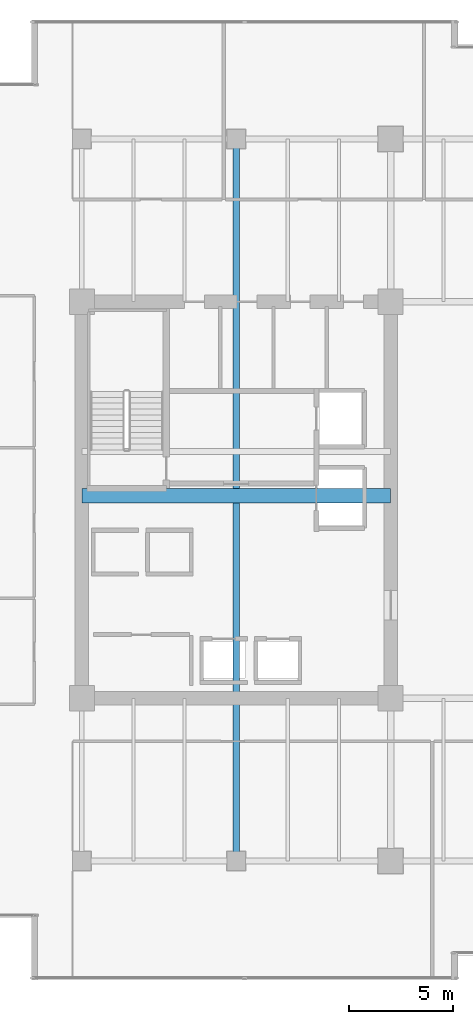
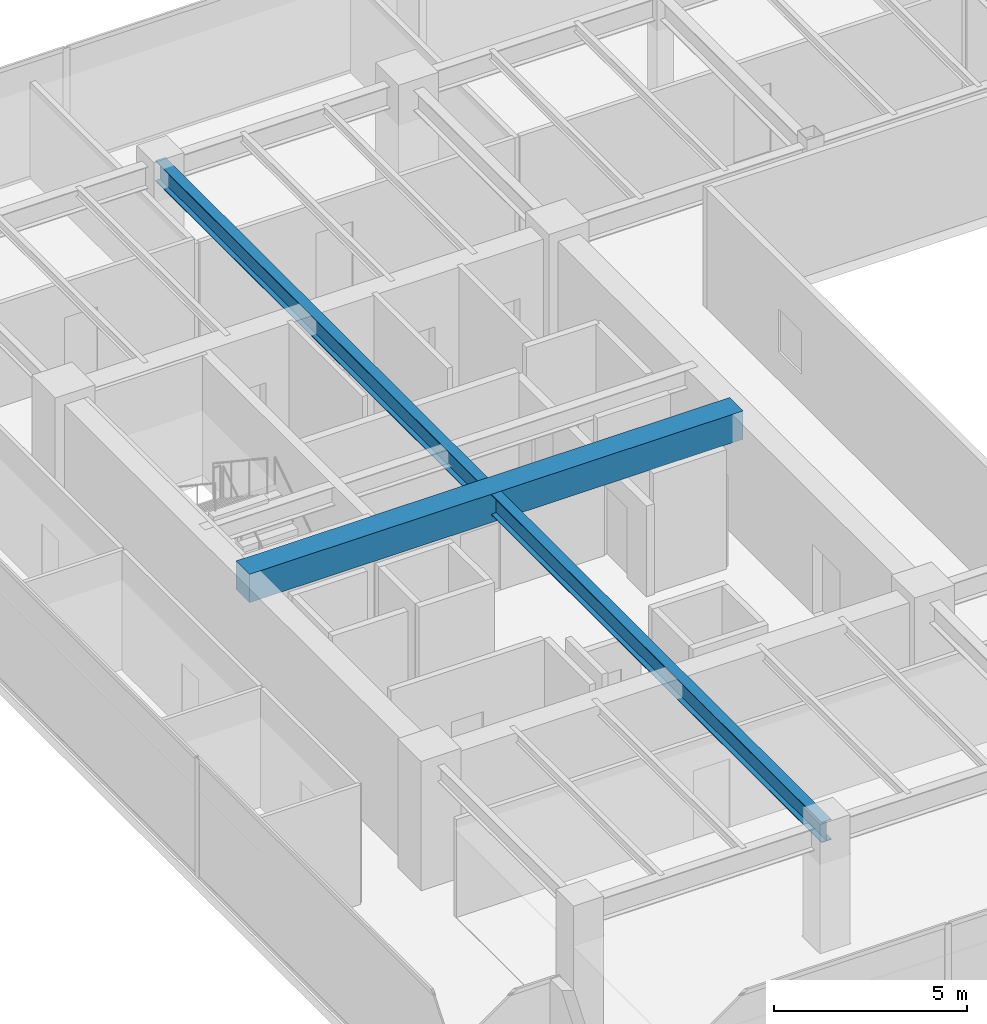
# One storey, part 7 of 33: 2 beams.
"""IFC4 building model written with IfcOpenShell, lengths in metres."""

import ifcopenshell
import ifcopenshell.guid

model = None  # the IFC model being written
_history = None  # IfcOwnerHistory: only IFC2X3 demands one
_inside = {}  # id of a spatial element -> (the spatial element, [elements in it])
_under = {}  # id of a project, library or spatial element -> (it, [spatial elements below it])
_declared = {}  # id of a project -> (the project, [libraries it declares])
_typed = {}  # id of a type object -> (the type object, [elements of that type])
_made_of = {}  # id of a material, layer set ... -> (it, [elements and type objects made of it])


def new_model(schema):
    """Start an empty IFC model of exactly this schema.

    Asked for "IFC4X3", IfcOpenShell would pick the latest addendum, in which some entities
    have other attributes; the version numbers below select the first issue.
    IFC2X3 requires an IfcOwnerHistory on every rooted entity: one is made here for all.
    """
    global model, _history
    if schema == "IFC4X3":
        model = ifcopenshell.file(schema_version=(4, 3, 0, 0))
    else:
        model = ifcopenshell.file(schema=schema)
    _inside.clear()
    _under.clear()
    _declared.clear()
    _typed.clear()
    _made_of.clear()
    _history = None
    if model.schema == "IFC2X3":
        org = make("IfcOrganization", Name="unknown")
        user = make(
            "IfcPersonAndOrganization",
            ThePerson=make("IfcPerson", FamilyName="unknown"),
            TheOrganization=org,
        )
        app = make(
            "IfcApplication",
            ApplicationDeveloper=org,
            Version="unknown",
            ApplicationFullName="unknown",
            ApplicationIdentifier="unknown",
        )
        _history = make(
            "IfcOwnerHistory",
            OwningUser=user,
            OwningApplication=app,
            ChangeAction="ADDED",
            CreationDate=0,
        )
    return model


def make(cls, **values):
    """One entity of the class cls with the attributes given. An attribute that is None is left unset."""
    return model.create_entity(
        cls, **{name: value for name, value in values.items() if value is not None}
    )


def rooted(cls, **values):
    """An entity with a GlobalId (a new one), such as an element, a storey or a relation."""
    return make(cls, GlobalId=ifcopenshell.guid.new(), OwnerHistory=_history, **values)


def si_unit(unit_type, name, prefix=None):
    """IfcSIUnit, for example si_unit("LENGTHUNIT", "METRE", prefix="MILLI")."""
    return make("IfcSIUnit", UnitType=unit_type, Prefix=prefix, Name=name)


def assignment(units):
    """IfcUnitAssignment: the units of a project."""
    return None if units is None else make("IfcUnitAssignment", Units=units)


def point(xyz):
    """IfcCartesianPoint."""
    return None if xyz is None else make("IfcCartesianPoint", Coordinates=xyz)


def direction(xyz):
    """IfcDirection."""
    return None if xyz is None else make("IfcDirection", DirectionRatios=xyz)


def frame(location, z_axis=None, x_axis=None):
    """IfcAxis2Placement3D, a coordinate frame: its origin and axes. An axis left out is left unset."""
    return make(
        "IfcAxis2Placement3D",
        Location=point(location),
        Axis=direction(z_axis),
        RefDirection=direction(x_axis),
    )


def frame_2d(location, x_axis=None):
    """IfcAxis2Placement2D, a coordinate frame in the plane: its origin and x axis."""
    return make(
        "IfcAxis2Placement2D", Location=point(location), RefDirection=direction(x_axis)
    )


def origin():
    """The frame at (0, 0, 0) with its axes left unset."""
    return frame((0.0, 0.0, 0.0))


def origin_2d():
    """The frame at (0, 0) in the plane with its x axis left unset."""
    return frame_2d((0.0, 0.0))


def place(relative_to, where):
    """IfcLocalPlacement: puts the frame where relative to a parent placement (None: the world)."""
    return make(
        "IfcLocalPlacement", PlacementRelTo=relative_to, RelativePlacement=where
    )


def context(
    kind, dimensions, precision=None, world=None, true_north=None, identifier=None
):
    """IfcGeometricRepresentationContext, for example the 3D "Model" context."""
    return make(
        "IfcGeometricRepresentationContext",
        ContextIdentifier=identifier,
        ContextType=kind,
        CoordinateSpaceDimension=dimensions,
        Precision=precision,
        WorldCoordinateSystem=world,
        TrueNorth=true_north,
    )


def subcontext(parent, identifier, kind, view, scale=None):
    """IfcGeometricRepresentationSubContext, for example "Body" below "Model"."""
    return make(
        "IfcGeometricRepresentationSubContext",
        ContextIdentifier=identifier,
        ContextType=kind,
        ParentContext=parent,
        TargetScale=scale,
        TargetView=view,
    )


def project(units=None, contexts=None):
    """IfcProject with its units and contexts."""
    return rooted(
        "IfcProject",
        Name="project",
        RepresentationContexts=contexts,
        UnitsInContext=assignment(units),
    )


def spatial(cls, under=None, at=None, **own):
    """A site, building, storey or space (cls), placed at a placement, below another one or the project."""
    s = rooted(cls, ObjectPlacement=at, **own)
    if under is not None:
        _under.setdefault(under.id(), (under, []))[1].append(s)
    return s


def profile(cls, at=None, kind="AREA", **sizes):
    """A parametric profile (cls). Its sizes go by their IFC names, for example OverallWidth=200.0."""
    return make(cls, ProfileType=kind, Position=at, **sizes)


def rectangle(**sizes):
    """IfcRectangleProfileDef."""
    return profile("IfcRectangleProfileDef", **sizes)


def i_section(**sizes):
    """IfcIShapeProfileDef."""
    return profile("IfcIShapeProfileDef", **sizes)


def extrude(swept, where, along, depth):
    """IfcExtrudedAreaSolid: the profile swept, set in the frame where, extruded along a direction by depth."""
    return make(
        "IfcExtrudedAreaSolid",
        SweptArea=swept,
        Position=where,
        ExtrudedDirection=direction(along),
        Depth=depth,
    )


def shape(context_of_items, identifier, shape_type, items):
    """IfcShapeRepresentation: the items that make up one representation, for example the "Body"."""
    return make(
        "IfcShapeRepresentation",
        ContextOfItems=context_of_items,
        RepresentationIdentifier=identifier,
        RepresentationType=shape_type,
        Items=items,
    )


def source(mapping_origin, context_of_items, identifier, shape_type, items):
    """IfcRepresentationMap: a shape defined once, which mapped items show again and again."""
    return make(
        "IfcRepresentationMap",
        MappingOrigin=mapping_origin,
        MappedRepresentation=shape(context_of_items, identifier, shape_type, items),
    )


def transform(
    local_origin,
    x_axis=None,
    y_axis=None,
    z_axis=None,
    scale=None,
    scale2=None,
    scale3=None,
    uniform=True,
):
    """IfcCartesianTransformationOperator3D, or its non-uniform kind. x_axis, y_axis, z_axis: its Axis1, 2, 3."""
    if uniform:
        return make(
            "IfcCartesianTransformationOperator3D",
            Axis1=direction(x_axis),
            Axis2=direction(y_axis),
            LocalOrigin=point(local_origin),
            Scale=scale,
            Axis3=direction(z_axis),
        )
    return make(
        "IfcCartesianTransformationOperator3DnonUniform",
        Axis1=direction(x_axis),
        Axis2=direction(y_axis),
        LocalOrigin=point(local_origin),
        Scale=scale,
        Axis3=direction(z_axis),
        Scale2=scale2,
        Scale3=scale3,
    )


def mapped(mapping_source, mapping_target):
    """IfcMappedItem: shows the shape of a source again, moved by a transform."""
    return make(
        "IfcMappedItem", MappingSource=mapping_source, MappingTarget=mapping_target
    )


def material(Name=None, Category=None):
    """IfcMaterial."""
    return make("IfcMaterial", Name=Name, Category=Category)


def material_profile(
    of_material, cross_section, Name=None, Category=None, Priority=None
):
    """IfcMaterialProfile: a cross section and its material."""
    return make(
        "IfcMaterialProfile",
        Name=Name,
        Material=of_material,
        Profile=cross_section,
        Priority=Priority,
        Category=Category,
    )


def profile_set(profiles, Name=None, composite=None):
    """IfcMaterialProfileSet."""
    return make(
        "IfcMaterialProfileSet",
        Name=Name,
        MaterialProfiles=profiles,
        CompositeProfile=composite,
    )


def made_of(thing, what):
    """Note that an element or type object is made of a material, layer set ...; save() writes the relation."""
    if what is not None:
        _made_of.setdefault(what.id(), (what, []))[1].append(thing)
    return thing


def type_object(cls, material=None, **own):
    """A type object (cls), such as IfcWallType, which elements share."""
    return made_of(rooted(cls, **own), material)


def type_shapes(of_type, sources):
    """Give a type object the sources (RepresentationMaps) that its elements show as mapped items."""
    of_type.RepresentationMaps = sources


def element(
    cls,
    number,
    at=None,
    inside=None,
    cuts=None,
    type_object=None,
    material=None,
    context=None,
    identifier="Body",
    shape_type=None,
    held_by="IfcProductDefinitionShape",
    body=None,
    shapes=None,
    **own,
):
    """One element of the class cls, such as IfcWall. Its Tag is "e" and its number.

    at: its placement. inside: the storey or other place that contains it. cuts: it is an
    opening in that element (IfcRelVoidsElement). A single representation is given by context,
    identifier, shape_type and body (its items); several are given by shapes. held_by: the class
    of the entity that holds the representations. save() writes the other relations.
    """
    e = rooted(cls, Tag="e%d" % number, ObjectPlacement=at, **own)
    if body is not None:
        shapes = [shape(context, identifier, shape_type, body)]
    if shapes is not None:
        e.Representation = make(held_by, Representations=shapes)
    if inside is not None:
        _inside.setdefault(inside.id(), (inside, []))[1].append(e)
    if cuts is not None:
        rooted(
            "IfcRelVoidsElement", RelatingBuildingElement=cuts, RelatedOpeningElement=e
        )
    if type_object is not None:
        _typed.setdefault(type_object.id(), (type_object, []))[1].append(e)
    return made_of(e, material)


def aggregate(whole, parts):
    """IfcRelAggregates: a whole, such as a stair, and the parts it consists of."""
    return rooted("IfcRelAggregates", RelatingObject=whole, RelatedObjects=parts)


def save(model, path):
    """Write the relations noted so far, then the file.

    IfcRelAggregates (storeys below a building ...), IfcRelContainedInSpatialStructure (elements
    in a storey), IfcRelDefinesByType, IfcRelAssociatesMaterial and IfcRelDeclares: one each for
    every whole, place, type object, material and project.
    """
    for whole, parts in _under.values():
        aggregate(whole, parts)
    for where, things in _inside.values():
        rooted(
            "IfcRelContainedInSpatialStructure",
            RelatedElements=things,
            RelatingStructure=where,
        )
    for kind, things in _typed.values():
        rooted("IfcRelDefinesByType", RelatedObjects=things, RelatingType=kind)
    for what, things in _made_of.values():
        rooted("IfcRelAssociatesMaterial", RelatedObjects=things, RelatingMaterial=what)
    for by, libraries in _declared.values():
        rooted("IfcRelDeclares", RelatingContext=by, RelatedDefinitions=libraries)
    model.write(path)


model = new_model("IFC4")

# Units and contexts
model_context = context("Model", 3, precision=1e-05, world=origin(), true_north=direction((0.0, 1.0)))
body_context = subcontext(model_context, "Body", "Model", "MODEL_VIEW")
ifc_project = project(units=[si_unit("LENGTHUNIT", "METRE"), si_unit("AREAUNIT", "SQUARE_METRE"), si_unit("VOLUMEUNIT", "CUBIC_METRE"), si_unit("PLANEANGLEUNIT", "RADIAN"), si_unit("MASSUNIT", "GRAM", prefix="KILO")], contexts=[model_context])

# Site, building, storey
site_placement = place(None, origin())
site = spatial("IfcSite", under=ifc_project, at=site_placement, CompositionType="ELEMENT")
building_placement = place(site_placement, origin())
building = spatial("IfcBuilding", under=site, at=building_placement, Name="Haelvirn Gate Laboratories", CompositionType="ELEMENT")
storey_placement = place(building_placement, frame((0.0, 0.0, 137.89990234375)))
storey = spatial("IfcBuildingStorey", under=building, at=storey_placement, Name="L33", CompositionType="ELEMENT", Elevation=137.89990234375)

# Beams
ifc_material_1 = material(Name="Concrete C60/75", Category="concrete")
ifc_material_profile_1 = material_profile(ifc_material_1, rectangle(XDim=0.699951171875, YDim=0.89990234375, at=origin_2d()), Name="RCB-700x900")
ifc_profile_set_1 = profile_set([ifc_material_profile_1], Name="Concrete C60/75")
beam_type_1 = type_object("IfcBeamType", Name="BM-RCB-900", PredefinedType="LINTEL", material=ifc_profile_set_1)
shared_shape_1 = source(origin(), body_context, "Body", "SweptSolid", [
    extrude(rectangle(XDim=0.699951171875, YDim=0.89990234375, at=origin_2d()), origin(), (0.0, 0.0, 1.0), 14.800048828125),
])
type_shapes(beam_type_1, [shared_shape_1])
beam_1_placement = place(storey_placement, frame((7.39990234375, 24.5, 3.340087890625), z_axis=(1.0, 0.0, 0.0), x_axis=(0.0, 1.0, 0.0)))
element("IfcBeam", 1, at=beam_1_placement, inside=storey, type_object=beam_type_1, Name="L33 West Core Coupling Beam", PredefinedType="LINTEL", context=body_context, shape_type="MappedRepresentation", body=[
    mapped(shared_shape_1, transform((0.0, 0.0, 0.0), scale=1.0)),
])
ifc_material_2 = material(Name="Steel SM355", Category="steel")
ifc_material_profile_2 = material_profile(ifc_material_2, i_section(OverallWidth=0.300048828125, OverallDepth=0.64990234375, WebThickness=0.012939453125, FlangeThickness=0.02197265625, at=origin_2d()), Name="H-650x300x13x22")
ifc_profile_set_2 = profile_set([ifc_material_profile_2], Name="Steel SM355")
beam_type_2 = type_object("IfcBeamType", Name="BM-G-650", PredefinedType="BEAM", material=ifc_profile_set_2)
shared_shape_2 = source(origin(), body_context, "Body", "SweptSolid", [
    extrude(i_section(OverallWidth=0.300048828125, OverallDepth=0.64990234375, WebThickness=0.012939453125, FlangeThickness=0.02197265625, at=origin_2d()), origin(), (0.0, 0.0, 1.0), 34.60009765625),
])
type_shapes(beam_type_2, [shared_shape_2])
beam_2_placement = place(storey_placement, frame((14.800048828125, 7.0, 3.465087890625), z_axis=(0.0, 1.0, 0.0), x_axis=(-1.0, 0.0, 0.0)))
element("IfcBeam", 2, at=beam_2_placement, inside=storey, type_object=beam_type_2, Name="L33 Frame Girder X14.8 (7.0-41.6)", PredefinedType="BEAM", context=body_context, shape_type="MappedRepresentation", body=[
    mapped(shared_shape_2, transform((0.0, 0.0, 0.0), scale=1.0)),
])

save(model, "model.ifc")
